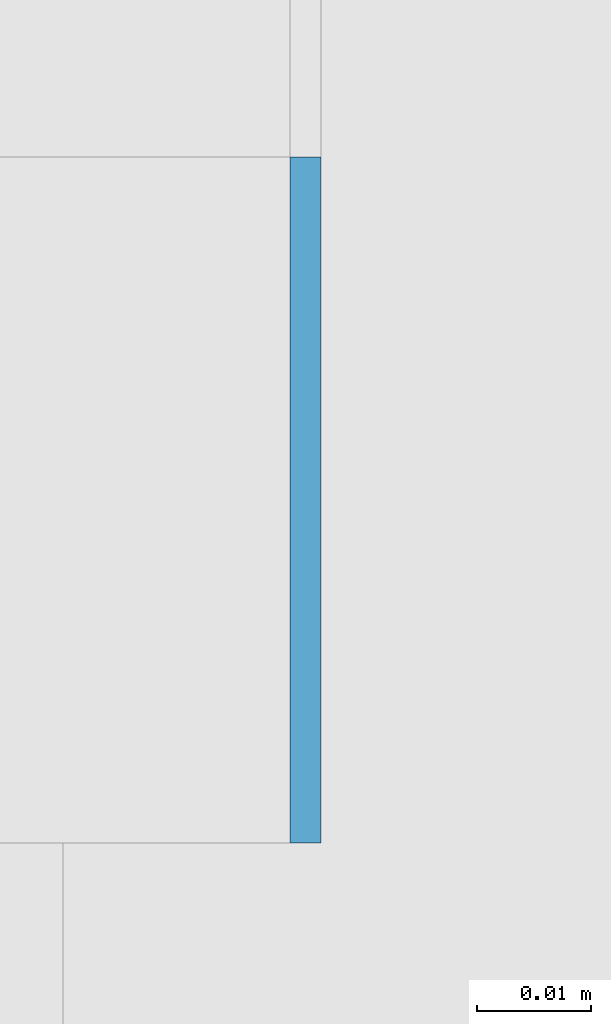
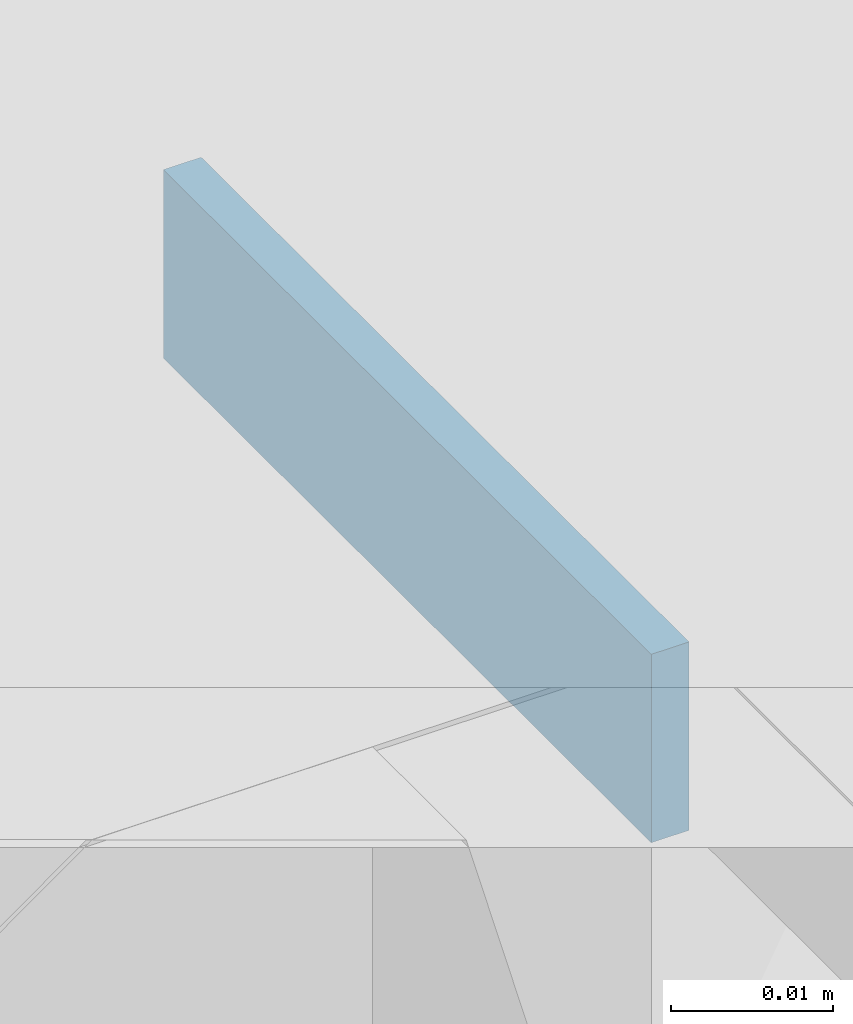
# One storey, part 379 of 646: 1 discrete accessory.
"""IFC4 building model written with IfcOpenShell, lengths in metres."""

from ifc_helpers import new_model, si_unit, direction, frame, origin, origin_2d, place, context, subcontext, project, spatial, rectangle, extrude, material, type_object, element, save


model = new_model("IFC4")

# Units and contexts
model_context = context("Model", 3, precision=1e-05, world=origin(), true_north=direction((0.0, 1.0)))
body_context = subcontext(model_context, "Body", "Model", "MODEL_VIEW")
ifc_project = project(units=[si_unit("LENGTHUNIT", "METRE"), si_unit("AREAUNIT", "SQUARE_METRE"), si_unit("VOLUMEUNIT", "CUBIC_METRE"), si_unit("PLANEANGLEUNIT", "RADIAN"), si_unit("MASSUNIT", "GRAM", prefix="KILO")], contexts=[model_context])

# Site, building, storey
site_placement = place(None, origin())
site = spatial("IfcSite", under=ifc_project, at=site_placement, CompositionType="ELEMENT")
building_placement = place(site_placement, origin())
building = spatial("IfcBuilding", under=site, at=building_placement, Name="Silverbay Arena", CompositionType="ELEMENT")
storey_placement = place(building_placement, frame((0.0, 0.0, 33.5)))
storey = spatial("IfcBuildingStorey", under=building, at=storey_placement, Name="L05", CompositionType="ELEMENT", Elevation=33.5)

# Discrete accessory
ifc_material = material(Name="Steel S355", Category="steel")
discrete_accessory_type = type_object("IfcDiscreteAccessoryType", Name="Steel bracket plate", PredefinedType="BRACKET", material=ifc_material)
discrete_accessory_placement = place(storey_placement, frame((53.871337890625, 107.969970703125, 12.98583984375), z_axis=(0.0, 0.0, 1.0), x_axis=(1.0, 0.0, 0.0)))
element("IfcDiscreteAccessory", 1, at=discrete_accessory_placement, inside=storey, type_object=discrete_accessory_type, Name="Curtain wall packing plate", PredefinedType="BRACKET", context=body_context, shape_type="SweptSolid", body=[
    extrude(rectangle(XDim=0.002685546875, YDim=0.06005859375, at=origin_2d()), origin(), (0.0, 0.0, 1.0), 0.01416015625),
])

save(model, "model.ifc")
